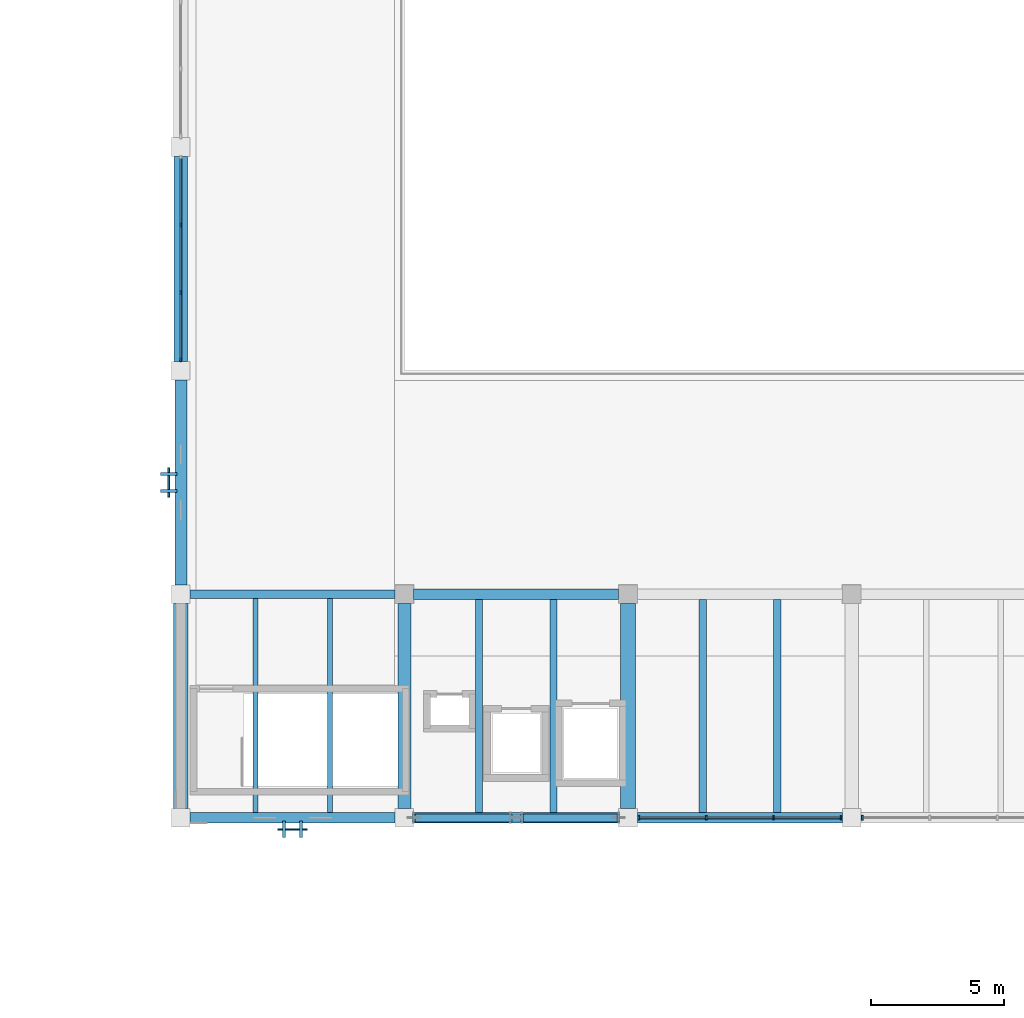
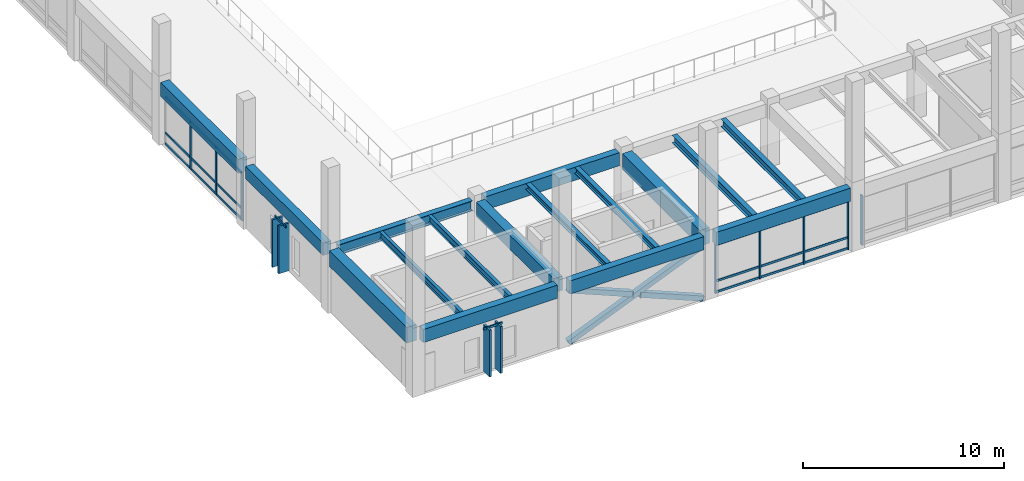
# One storey, part 52 of 132: 35 members, 16 beams, 5 elements without a shape of their own.
"""IFC4 building model written with IfcOpenShell, lengths in metres."""

import ifcopenshell
import ifcopenshell.guid

model = None  # the IFC model being written
_history = None  # IfcOwnerHistory: only IFC2X3 demands one
_inside = {}  # id of a spatial element -> (the spatial element, [elements in it])
_under = {}  # id of a project, library or spatial element -> (it, [spatial elements below it])
_declared = {}  # id of a project -> (the project, [libraries it declares])
_typed = {}  # id of a type object -> (the type object, [elements of that type])
_made_of = {}  # id of a material, layer set ... -> (it, [elements and type objects made of it])


def new_model(schema):
    """Start an empty IFC model of exactly this schema.

    Asked for "IFC4X3", IfcOpenShell would pick the latest addendum, in which some entities
    have other attributes; the version numbers below select the first issue.
    IFC2X3 requires an IfcOwnerHistory on every rooted entity: one is made here for all.
    """
    global model, _history
    if schema == "IFC4X3":
        model = ifcopenshell.file(schema_version=(4, 3, 0, 0))
    else:
        model = ifcopenshell.file(schema=schema)
    _inside.clear()
    _under.clear()
    _declared.clear()
    _typed.clear()
    _made_of.clear()
    _history = None
    if model.schema == "IFC2X3":
        org = make("IfcOrganization", Name="unknown")
        user = make(
            "IfcPersonAndOrganization",
            ThePerson=make("IfcPerson", FamilyName="unknown"),
            TheOrganization=org,
        )
        app = make(
            "IfcApplication",
            ApplicationDeveloper=org,
            Version="unknown",
            ApplicationFullName="unknown",
            ApplicationIdentifier="unknown",
        )
        _history = make(
            "IfcOwnerHistory",
            OwningUser=user,
            OwningApplication=app,
            ChangeAction="ADDED",
            CreationDate=0,
        )
    return model


def make(cls, **values):
    """One entity of the class cls with the attributes given. An attribute that is None is left unset."""
    return model.create_entity(
        cls, **{name: value for name, value in values.items() if value is not None}
    )


def rooted(cls, **values):
    """An entity with a GlobalId (a new one), such as an element, a storey or a relation."""
    return make(cls, GlobalId=ifcopenshell.guid.new(), OwnerHistory=_history, **values)


def si_unit(unit_type, name, prefix=None):
    """IfcSIUnit, for example si_unit("LENGTHUNIT", "METRE", prefix="MILLI")."""
    return make("IfcSIUnit", UnitType=unit_type, Prefix=prefix, Name=name)


def assignment(units):
    """IfcUnitAssignment: the units of a project."""
    return None if units is None else make("IfcUnitAssignment", Units=units)


def point(xyz):
    """IfcCartesianPoint."""
    return None if xyz is None else make("IfcCartesianPoint", Coordinates=xyz)


def direction(xyz):
    """IfcDirection."""
    return None if xyz is None else make("IfcDirection", DirectionRatios=xyz)


def frame(location, z_axis=None, x_axis=None):
    """IfcAxis2Placement3D, a coordinate frame: its origin and axes. An axis left out is left unset."""
    return make(
        "IfcAxis2Placement3D",
        Location=point(location),
        Axis=direction(z_axis),
        RefDirection=direction(x_axis),
    )


def frame_2d(location, x_axis=None):
    """IfcAxis2Placement2D, a coordinate frame in the plane: its origin and x axis."""
    return make(
        "IfcAxis2Placement2D", Location=point(location), RefDirection=direction(x_axis)
    )


def origin():
    """The frame at (0, 0, 0) with its axes left unset."""
    return frame((0.0, 0.0, 0.0))


def origin_2d():
    """The frame at (0, 0) in the plane with its x axis left unset."""
    return frame_2d((0.0, 0.0))


def place(relative_to, where):
    """IfcLocalPlacement: puts the frame where relative to a parent placement (None: the world)."""
    return make(
        "IfcLocalPlacement", PlacementRelTo=relative_to, RelativePlacement=where
    )


def context(
    kind, dimensions, precision=None, world=None, true_north=None, identifier=None
):
    """IfcGeometricRepresentationContext, for example the 3D "Model" context."""
    return make(
        "IfcGeometricRepresentationContext",
        ContextIdentifier=identifier,
        ContextType=kind,
        CoordinateSpaceDimension=dimensions,
        Precision=precision,
        WorldCoordinateSystem=world,
        TrueNorth=true_north,
    )


def subcontext(parent, identifier, kind, view, scale=None):
    """IfcGeometricRepresentationSubContext, for example "Body" below "Model"."""
    return make(
        "IfcGeometricRepresentationSubContext",
        ContextIdentifier=identifier,
        ContextType=kind,
        ParentContext=parent,
        TargetScale=scale,
        TargetView=view,
    )


def project(units=None, contexts=None):
    """IfcProject with its units and contexts."""
    return rooted(
        "IfcProject",
        Name="project",
        RepresentationContexts=contexts,
        UnitsInContext=assignment(units),
    )


def spatial(cls, under=None, at=None, **own):
    """A site, building, storey or space (cls), placed at a placement, below another one or the project."""
    s = rooted(cls, ObjectPlacement=at, **own)
    if under is not None:
        _under.setdefault(under.id(), (under, []))[1].append(s)
    return s


def profile(cls, at=None, kind="AREA", **sizes):
    """A parametric profile (cls). Its sizes go by their IFC names, for example OverallWidth=200.0."""
    return make(cls, ProfileType=kind, Position=at, **sizes)


def rectangle(**sizes):
    """IfcRectangleProfileDef."""
    return profile("IfcRectangleProfileDef", **sizes)


def hollow_rectangle(**sizes):
    """IfcRectangleHollowProfileDef."""
    return profile("IfcRectangleHollowProfileDef", **sizes)


def i_section(**sizes):
    """IfcIShapeProfileDef."""
    return profile("IfcIShapeProfileDef", **sizes)


def extrude(swept, where, along, depth):
    """IfcExtrudedAreaSolid: the profile swept, set in the frame where, extruded along a direction by depth."""
    return make(
        "IfcExtrudedAreaSolid",
        SweptArea=swept,
        Position=where,
        ExtrudedDirection=direction(along),
        Depth=depth,
    )


def shape(context_of_items, identifier, shape_type, items):
    """IfcShapeRepresentation: the items that make up one representation, for example the "Body"."""
    return make(
        "IfcShapeRepresentation",
        ContextOfItems=context_of_items,
        RepresentationIdentifier=identifier,
        RepresentationType=shape_type,
        Items=items,
    )


def material(Name=None, Category=None):
    """IfcMaterial."""
    return make("IfcMaterial", Name=Name, Category=Category)


def material_profile(
    of_material, cross_section, Name=None, Category=None, Priority=None
):
    """IfcMaterialProfile: a cross section and its material."""
    return make(
        "IfcMaterialProfile",
        Name=Name,
        Material=of_material,
        Profile=cross_section,
        Priority=Priority,
        Category=Category,
    )


def profile_set(profiles, Name=None, composite=None):
    """IfcMaterialProfileSet."""
    return make(
        "IfcMaterialProfileSet",
        Name=Name,
        MaterialProfiles=profiles,
        CompositeProfile=composite,
    )


def made_of(thing, what):
    """Note that an element or type object is made of a material, layer set ...; save() writes the relation."""
    if what is not None:
        _made_of.setdefault(what.id(), (what, []))[1].append(thing)
    return thing


def type_object(cls, material=None, **own):
    """A type object (cls), such as IfcWallType, which elements share."""
    return made_of(rooted(cls, **own), material)


def element(
    cls,
    number,
    at=None,
    inside=None,
    cuts=None,
    type_object=None,
    material=None,
    context=None,
    identifier="Body",
    shape_type=None,
    held_by="IfcProductDefinitionShape",
    body=None,
    shapes=None,
    **own,
):
    """One element of the class cls, such as IfcWall. Its Tag is "e" and its number.

    at: its placement. inside: the storey or other place that contains it. cuts: it is an
    opening in that element (IfcRelVoidsElement). A single representation is given by context,
    identifier, shape_type and body (its items); several are given by shapes. held_by: the class
    of the entity that holds the representations. save() writes the other relations.
    """
    e = rooted(cls, Tag="e%d" % number, ObjectPlacement=at, **own)
    if body is not None:
        shapes = [shape(context, identifier, shape_type, body)]
    if shapes is not None:
        e.Representation = make(held_by, Representations=shapes)
    if inside is not None:
        _inside.setdefault(inside.id(), (inside, []))[1].append(e)
    if cuts is not None:
        rooted(
            "IfcRelVoidsElement", RelatingBuildingElement=cuts, RelatedOpeningElement=e
        )
    if type_object is not None:
        _typed.setdefault(type_object.id(), (type_object, []))[1].append(e)
    return made_of(e, material)


def aggregate(whole, parts):
    """IfcRelAggregates: a whole, such as a stair, and the parts it consists of."""
    return rooted("IfcRelAggregates", RelatingObject=whole, RelatedObjects=parts)


def save(model, path):
    """Write the relations noted so far, then the file.

    IfcRelAggregates (storeys below a building ...), IfcRelContainedInSpatialStructure (elements
    in a storey), IfcRelDefinesByType, IfcRelAssociatesMaterial and IfcRelDeclares: one each for
    every whole, place, type object, material and project.
    """
    for whole, parts in _under.values():
        aggregate(whole, parts)
    for where, things in _inside.values():
        rooted(
            "IfcRelContainedInSpatialStructure",
            RelatedElements=things,
            RelatingStructure=where,
        )
    for kind, things in _typed.values():
        rooted("IfcRelDefinesByType", RelatedObjects=things, RelatingType=kind)
    for what, things in _made_of.values():
        rooted("IfcRelAssociatesMaterial", RelatedObjects=things, RelatingMaterial=what)
    for by, libraries in _declared.values():
        rooted("IfcRelDeclares", RelatingContext=by, RelatedDefinitions=libraries)
    model.write(path)


model = new_model("IFC4")

# Units and contexts
model_context = context("Model", 3, precision=1e-05, world=origin(), true_north=direction((0.0, 1.0)))
body_context = subcontext(model_context, "Body", "Model", "MODEL_VIEW")
ifc_project = project(units=[si_unit("LENGTHUNIT", "METRE"), si_unit("AREAUNIT", "SQUARE_METRE"), si_unit("VOLUMEUNIT", "CUBIC_METRE"), si_unit("PLANEANGLEUNIT", "RADIAN"), si_unit("MASSUNIT", "GRAM", prefix="KILO")], contexts=[model_context])

# Site, building, storey
site_placement = place(None, origin())
site = spatial("IfcSite", under=ifc_project, at=site_placement, CompositionType="ELEMENT")
building_placement = place(site_placement, origin())
building = spatial("IfcBuilding", under=site, at=building_placement, Name="Cumbredor Promenade Congress Hotel", CompositionType="ELEMENT")
storey_placement = place(building_placement, frame((0.0, 0.0, 7.56005859375)))
storey = spatial("IfcBuildingStorey", under=building, at=storey_placement, Name="L02", CompositionType="ELEMENT", Elevation=7.56005859375)

# Beams
ifc_material_1 = material(Name="Concrete C40/50", Category="concrete")
ifc_material_profile_1 = material_profile(ifc_material_1, rectangle(XDim=0.449951171875, YDim=0.75, at=origin_2d()), Name="RC BEAM 450x750")
ifc_profile_set_1 = profile_set([ifc_material_profile_1], Name="Concrete C40/50")
beam_type_1 = type_object("IfcBeamType", Name="BM-RC-450x750", PredefinedType="BEAM", material=ifc_profile_set_1)
beam_1_placement = place(storey_placement, frame((142.800048828125, 17.14990234375, 3.425048828125), z_axis=(0.0, 1.0, 0.0), x_axis=(-1.0, 0.0, 0.0)))
element("IfcBeam", 1, at=beam_1_placement, inside=storey, type_object=beam_type_1, Name="L03 Y-Grid Beam 189", PredefinedType="BEAM", context=body_context, shape_type="SweptSolid", body=[
    extrude(rectangle(XDim=0.449951171875, YDim=0.75, at=origin_2d()), origin(), (0.0, 0.0, 1.0), 7.7001953125),
])
ifc_material_profile_2 = material_profile(ifc_material_1, rectangle(XDim=0.5, YDim=0.85009765625, at=origin_2d()), Name="RC BEAM 500x850")
ifc_profile_set_2 = profile_set([ifc_material_profile_2], Name="Concrete C40/50")
beam_type_2 = type_object("IfcBeamType", Name="BM-RC-500x850", PredefinedType="BEAM", material=ifc_profile_set_2)
for number, where, z_axis, x_axis, name in (
    (2, (142.800048828125, 25.550048828125, 3.375), (0.0, 1.0, 0.0), (-1.0, 0.0, 0.0), "L03 Y-Grid Beam 190"),
    (3, (151.199951171875, 8.75, 3.375), (0.0, 1.0, 0.0), (-1.0, 0.0, 0.0), "L03 Y-Grid Beam 202"),
):
    element("IfcBeam", number, at=place(storey_placement, frame(where, z_axis=z_axis, x_axis=x_axis)), inside=storey, type_object=beam_type_2, Name=name, PredefinedType="BEAM", context=body_context, shape_type="SweptSolid", body=[
        extrude(rectangle(XDim=0.5, YDim=0.85009765625, at=origin_2d()), origin(), (0.0, 0.0, 1.0), 7.699951171875),
    ])
ifc_material_profile_3 = material_profile(ifc_material_1, rectangle(XDim=0.550048828125, YDim=0.949951171875, at=origin_2d()), Name="RC BEAM 550x950")
ifc_profile_set_3 = profile_set([ifc_material_profile_3], Name="Concrete C40/50")
beam_type_3 = type_object("IfcBeamType", Name="BM-RC-550x950", PredefinedType="BEAM", material=ifc_profile_set_3)
for number, where, z_axis, x_axis, name in (
    (4, (142.800048828125, 8.75, 3.324951171875), (0.0, 1.0, 0.0), (-1.0, 0.0, 0.0), "L03 Y-Grid Beam 187"),
    (5, (159.60009765625, 8.75, 3.324951171875), (0.0, 1.0, 0.0), (-1.0, 0.0, 0.0), "L03 Y-Grid Beam 215"),
):
    element("IfcBeam", number, at=place(storey_placement, frame(where, z_axis=z_axis, x_axis=x_axis)), inside=storey, type_object=beam_type_3, Name=name, PredefinedType="BEAM", context=body_context, shape_type="SweptSolid", body=[
        extrude(rectangle(XDim=0.550048828125, YDim=0.949951171875, at=origin_2d()), origin(), (0.0, 0.0, 1.0), 7.699951171875),
    ])
ifc_material_2 = material(Name="Steel ASTM A992 Grade 50", Category="steel")
ifc_material_profile_4 = material_profile(ifc_material_2, i_section(OverallWidth=0.323974609375, OverallDepth=0.611083984375, WebThickness=0.0126953125, FlangeThickness=0.01904296875, at=origin_2d()), Name="W24X104")
ifc_profile_set_4 = profile_set([ifc_material_profile_4], Name="Steel ASTM A992 Grade 50")
beam_type_4 = type_object("IfcBeamType", Name="BM-W24X104", PredefinedType="BEAM", material=ifc_profile_set_4)
beam_2_placement = place(storey_placement, frame((143.14990234375, 16.800048828125, 3.494384765625), z_axis=(1.0, 0.0, 0.0), x_axis=(0.0, 1.0, 0.0)))
element("IfcBeam", 6, at=beam_2_placement, inside=storey, type_object=beam_type_4, Name="L03 X-Grid Beam 188", PredefinedType="BEAM", context=body_context, shape_type="SweptSolid", body=[
    extrude(i_section(OverallWidth=0.323974609375, OverallDepth=0.611083984375, WebThickness=0.0126953125, FlangeThickness=0.01904296875, at=origin_2d()), origin(), (0.0, 0.0, 1.0), 7.7001953125),
])

# Curtain wall, members
ifc_material_3 = material(Name="Thermally broken anodized aluminium and low-E glass", Category="aluminium")
curtain_wall_type_1 = type_object("IfcCurtainWallType", Name="Unitised Bronze Curtain Wall CW-01", PredefinedType="NOTDEFINED", material=ifc_material_3)
curtain_wall_1_placement = place(storey_placement, origin())
curtain_wall_1 = element("IfcCurtainWall", 7, at=curtain_wall_1_placement, inside=storey, type_object=curtain_wall_type_1, Name="L02 Grand Ballroom Pavilion South Curtain Wall 3", PredefinedType="NOTDEFINED")
ifc_material_4 = material(Name="Thermally broken anodized aluminium", Category="aluminium")
ifc_material_profile_5 = material_profile(ifc_material_4, rectangle(XDim=0.06494140625, YDim=0.159912109375, at=origin_2d()), Name="ALU MULLION 65x160")
ifc_profile_set_5 = profile_set([ifc_material_profile_5], Name="Thermally broken anodized aluminium")
member_type_1 = type_object("IfcMemberType", Name="Curtain Wall Mullion ML-01", PredefinedType="MULLION", material=ifc_profile_set_5)
member_1_placement = place(storey_placement, frame((160.0048828125, 8.39990234375, -0.008056640625), z_axis=(0.0, 0.0, 1.0), x_axis=(1.0, 0.0, 0.0)))
member_1 = element("IfcMember", 8, at=member_1_placement, type_object=member_type_1, Name="L02 Grand Ballroom Pavilion South Curtain Wall 3 Mullion 1", PredefinedType="MULLION", context=body_context, shape_type="SweptSolid", body=[
    extrude(rectangle(XDim=0.06494140625, YDim=0.159912109375, at=origin_2d()), origin(), (0.0, 0.0, 1.0), 3.0009765625),
])
member_2_placement = place(storey_placement, frame((162.534912109375, 8.39990234375, -0.008056640625), z_axis=(0.0, 0.0, 1.0), x_axis=(1.0, 0.0, 0.0)))
member_2 = element("IfcMember", 9, at=member_2_placement, type_object=member_type_1, Name="L02 Grand Ballroom Pavilion South Curtain Wall 3 Mullion 2", PredefinedType="MULLION", context=body_context, shape_type="SweptSolid", body=[
    extrude(rectangle(XDim=0.06494140625, YDim=0.159912109375, at=origin_2d()), origin(), (0.0, 0.0, 1.0), 3.0009765625),
])
member_3_placement = place(storey_placement, frame((165.06494140625, 8.39990234375, -0.008056640625), z_axis=(0.0, 0.0, 1.0), x_axis=(1.0, 0.0, 0.0)))
member_3 = element("IfcMember", 10, at=member_3_placement, type_object=member_type_1, Name="L02 Grand Ballroom Pavilion South Curtain Wall 3 Mullion 3", PredefinedType="MULLION", context=body_context, shape_type="SweptSolid", body=[
    extrude(rectangle(XDim=0.06494140625, YDim=0.159912109375, at=origin_2d()), origin(), (0.0, 0.0, 1.0), 3.0009765625),
])
member_4_placement = place(storey_placement, frame((167.594970703125, 8.39990234375, -0.008056640625), z_axis=(0.0, 0.0, 1.0), x_axis=(1.0, 0.0, 0.0)))
member_4 = element("IfcMember", 11, at=member_4_placement, type_object=member_type_1, Name="L02 Grand Ballroom Pavilion South Curtain Wall 3 Mullion 4", PredefinedType="MULLION", context=body_context, shape_type="SweptSolid", body=[
    extrude(rectangle(XDim=0.06494140625, YDim=0.159912109375, at=origin_2d()), origin(), (0.0, 0.0, 1.0), 3.0009765625),
])

curtain_wall_2_placement = place(storey_placement, origin())
curtain_wall_2 = element("IfcCurtainWall", 12, at=curtain_wall_2_placement, inside=storey, type_object=curtain_wall_type_1, Name="L02 Grand Ballroom Pavilion West Curtain Wall 3", PredefinedType="NOTDEFINED")
member_5_placement = place(storey_placement, frame((142.800048828125, 25.60498046875, -0.008056640625), z_axis=(0.0, 0.0, 1.0), x_axis=(1.0, 0.0, 0.0)))
member_5 = element("IfcMember", 13, at=member_5_placement, type_object=member_type_1, Name="L02 Grand Ballroom Pavilion West Curtain Wall 3 Mullion 1", PredefinedType="MULLION", context=body_context, shape_type="SweptSolid", body=[
    extrude(rectangle(XDim=0.06494140625, YDim=0.159912109375, at=origin_2d()), origin(), (0.0, 0.0, 1.0), 2.950927734375),
])
member_6_placement = place(storey_placement, frame((142.800048828125, 28.135009765625, -0.008056640625), z_axis=(0.0, 0.0, 1.0), x_axis=(1.0, 0.0, 0.0)))
member_6 = element("IfcMember", 14, at=member_6_placement, type_object=member_type_1, Name="L02 Grand Ballroom Pavilion West Curtain Wall 3 Mullion 2", PredefinedType="MULLION", context=body_context, shape_type="SweptSolid", body=[
    extrude(rectangle(XDim=0.06494140625, YDim=0.159912109375, at=origin_2d()), origin(), (0.0, 0.0, 1.0), 2.950927734375),
])
member_7_placement = place(storey_placement, frame((142.800048828125, 30.6650390625, -0.008056640625), z_axis=(0.0, 0.0, 1.0), x_axis=(1.0, 0.0, 0.0)))
member_7 = element("IfcMember", 15, at=member_7_placement, type_object=member_type_1, Name="L02 Grand Ballroom Pavilion West Curtain Wall 3 Mullion 3", PredefinedType="MULLION", context=body_context, shape_type="SweptSolid", body=[
    extrude(rectangle(XDim=0.06494140625, YDim=0.159912109375, at=origin_2d()), origin(), (0.0, 0.0, 1.0), 2.950927734375),
])

# Curtain wall, member
curtain_wall_3_placement = place(storey_placement, origin())
curtain_wall_3 = element("IfcCurtainWall", 16, at=curtain_wall_3_placement, inside=storey, type_object=curtain_wall_type_1, Name="L02 Grand Ballroom Pavilion South Curtain Wall 4", PredefinedType="NOTDEFINED")
ifc_material_profile_6 = material_profile(ifc_material_4, rectangle(XDim=0.074951171875, YDim=0.199951171875, at=origin_2d()), Name="ALU MULLION 75x200")
ifc_profile_set_6 = profile_set([ifc_material_profile_6], Name="Thermally broken anodized aluminium")
member_type_2 = type_object("IfcMemberType", Name="Curtain Wall Mullion ML-02", PredefinedType="MULLION", material=ifc_profile_set_6)
member_8_placement = place(storey_placement, frame((168.405029296875, 8.39990234375, -0.008056640625), z_axis=(0.0, 0.0, 1.0), x_axis=(1.0, 0.0, 0.0)))
member_8 = element("IfcMember", 17, at=member_8_placement, type_object=member_type_2, Name="L02 Grand Ballroom Pavilion South Curtain Wall 4 Mullion 1", PredefinedType="MULLION", context=body_context, shape_type="SweptSolid", body=[
    extrude(rectangle(XDim=0.074951171875, YDim=0.199951171875, at=origin_2d()), origin(), (0.0, 0.0, 1.0), 3.0009765625),
])
aggregate(curtain_wall_3, [member_8])

curtain_wall_type_2 = type_object("IfcCurtainWallType", Name="Solar Brise-Soleil Screen Assembly CW-07", PredefinedType="NOTDEFINED", material=ifc_material_3)
curtain_wall_4_placement = place(storey_placement, origin())
curtain_wall_4 = element("IfcCurtainWall", 18, at=curtain_wall_4_placement, inside=storey, type_object=curtain_wall_type_2, Name="L02 Pier Brise-Soleil Screen 0373", PredefinedType="NOTDEFINED")
ifc_material_profile_7 = material_profile(ifc_material_4, rectangle(XDim=0.06494140625, YDim=0.1298828125, at=origin_2d()), Name="ALU TRANSOM 65x130")
ifc_profile_set_7 = profile_set([ifc_material_profile_7], Name="Thermally broken anodized aluminium")
member_type_3 = type_object("IfcMemberType", Name="Curtain Wall Transom TR-01", PredefinedType="USERDEFINED", material=ifc_profile_set_7)
member_9_placement = place(storey_placement, frame((146.449951171875, 7.965087890625, 2.824951171875), z_axis=(1.0, 0.0, 0.0), x_axis=(0.0, 1.0, 0.0)))
member_9 = element("IfcMember", 19, at=member_9_placement, type_object=member_type_3, Name="L02 Pier Brise-Soleil Header 0375", ObjectType="TRANSOM", PredefinedType="USERDEFINED", context=body_context, shape_type="SweptSolid", body=[
    extrude(rectangle(XDim=0.06494140625, YDim=0.1298828125, at=origin_2d()), origin(), (0.0, 0.0, 1.0), 1.10009765625),
])

# Member
member_10_placement = place(storey_placement, frame((160.03759765625, 8.39990234375, 0.06005859375), z_axis=(1.0, 0.0, 0.0), x_axis=(0.0, 1.0, 0.0)))
member_10 = element("IfcMember", 20, at=member_10_placement, type_object=member_type_3, Name="L02 Grand Ballroom Pavilion South Curtain Wall 3 Transom 1.1", ObjectType="TRANSOM", PredefinedType="USERDEFINED", context=body_context, shape_type="SweptSolid", body=[
    extrude(rectangle(XDim=0.06494140625, YDim=0.1298828125, at=origin_2d()), origin(), (0.0, 0.0, 1.0), 2.46484375),
])

member_11_placement = place(storey_placement, frame((160.03759765625, 8.39990234375, 0.719970703125), z_axis=(1.0, 0.0, 0.0), x_axis=(0.0, 1.0, 0.0)))
member_11 = element("IfcMember", 21, at=member_11_placement, type_object=member_type_3, Name="L02 Grand Ballroom Pavilion South Curtain Wall 3 Transom 1.2", ObjectType="TRANSOM", PredefinedType="USERDEFINED", context=body_context, shape_type="SweptSolid", body=[
    extrude(rectangle(XDim=0.06494140625, YDim=0.1298828125, at=origin_2d()), origin(), (0.0, 0.0, 1.0), 2.46484375),
])

member_12_placement = place(storey_placement, frame((160.03759765625, 8.39990234375, 2.919921875), z_axis=(1.0, 0.0, 0.0), x_axis=(0.0, 1.0, 0.0)))
member_12 = element("IfcMember", 22, at=member_12_placement, type_object=member_type_3, Name="L02 Grand Ballroom Pavilion South Curtain Wall 3 Transom 1.3", ObjectType="TRANSOM", PredefinedType="USERDEFINED", context=body_context, shape_type="SweptSolid", body=[
    extrude(rectangle(XDim=0.06494140625, YDim=0.1298828125, at=origin_2d()), origin(), (0.0, 0.0, 1.0), 2.46484375),
])

member_13_placement = place(storey_placement, frame((162.5673828125, 8.39990234375, 0.06005859375), z_axis=(1.0, 0.0, 0.0), x_axis=(0.0, 1.0, 0.0)))
member_13 = element("IfcMember", 23, at=member_13_placement, type_object=member_type_3, Name="L02 Grand Ballroom Pavilion South Curtain Wall 3 Transom 2.1", ObjectType="TRANSOM", PredefinedType="USERDEFINED", context=body_context, shape_type="SweptSolid", body=[
    extrude(rectangle(XDim=0.06494140625, YDim=0.1298828125, at=origin_2d()), origin(), (0.0, 0.0, 1.0), 2.465087890625),
])

member_14_placement = place(storey_placement, frame((162.5673828125, 8.39990234375, 0.719970703125), z_axis=(1.0, 0.0, 0.0), x_axis=(0.0, 1.0, 0.0)))
member_14 = element("IfcMember", 24, at=member_14_placement, type_object=member_type_3, Name="L02 Grand Ballroom Pavilion South Curtain Wall 3 Transom 2.2", ObjectType="TRANSOM", PredefinedType="USERDEFINED", context=body_context, shape_type="SweptSolid", body=[
    extrude(rectangle(XDim=0.06494140625, YDim=0.1298828125, at=origin_2d()), origin(), (0.0, 0.0, 1.0), 2.465087890625),
])

member_15_placement = place(storey_placement, frame((162.5673828125, 8.39990234375, 2.919921875), z_axis=(1.0, 0.0, 0.0), x_axis=(0.0, 1.0, 0.0)))
member_15 = element("IfcMember", 25, at=member_15_placement, type_object=member_type_3, Name="L02 Grand Ballroom Pavilion South Curtain Wall 3 Transom 2.3", ObjectType="TRANSOM", PredefinedType="USERDEFINED", context=body_context, shape_type="SweptSolid", body=[
    extrude(rectangle(XDim=0.06494140625, YDim=0.1298828125, at=origin_2d()), origin(), (0.0, 0.0, 1.0), 2.465087890625),
])

member_16_placement = place(storey_placement, frame((165.097412109375, 8.39990234375, 0.06005859375), z_axis=(1.0, 0.0, 0.0), x_axis=(0.0, 1.0, 0.0)))
member_16 = element("IfcMember", 26, at=member_16_placement, type_object=member_type_3, Name="L02 Grand Ballroom Pavilion South Curtain Wall 3 Transom 3.1", ObjectType="TRANSOM", PredefinedType="USERDEFINED", context=body_context, shape_type="SweptSolid", body=[
    extrude(rectangle(XDim=0.06494140625, YDim=0.1298828125, at=origin_2d()), origin(), (0.0, 0.0, 1.0), 2.465087890625),
])

member_17_placement = place(storey_placement, frame((165.097412109375, 8.39990234375, 0.719970703125), z_axis=(1.0, 0.0, 0.0), x_axis=(0.0, 1.0, 0.0)))
member_17 = element("IfcMember", 27, at=member_17_placement, type_object=member_type_3, Name="L02 Grand Ballroom Pavilion South Curtain Wall 3 Transom 3.2", ObjectType="TRANSOM", PredefinedType="USERDEFINED", context=body_context, shape_type="SweptSolid", body=[
    extrude(rectangle(XDim=0.06494140625, YDim=0.1298828125, at=origin_2d()), origin(), (0.0, 0.0, 1.0), 2.465087890625),
])

member_18_placement = place(storey_placement, frame((165.097412109375, 8.39990234375, 2.919921875), z_axis=(1.0, 0.0, 0.0), x_axis=(0.0, 1.0, 0.0)))
member_18 = element("IfcMember", 28, at=member_18_placement, type_object=member_type_3, Name="L02 Grand Ballroom Pavilion South Curtain Wall 3 Transom 3.3", ObjectType="TRANSOM", PredefinedType="USERDEFINED", context=body_context, shape_type="SweptSolid", body=[
    extrude(rectangle(XDim=0.06494140625, YDim=0.1298828125, at=origin_2d()), origin(), (0.0, 0.0, 1.0), 2.465087890625),
])

aggregate(curtain_wall_1, [member_1, member_2, member_3, member_4, member_10, member_11, member_12, member_13, member_14, member_15, member_16, member_17, member_18])

# Curtain wall, member
curtain_wall_5_placement = place(storey_placement, origin())
curtain_wall_5 = element("IfcCurtainWall", 29, at=curtain_wall_5_placement, inside=storey, type_object=curtain_wall_type_2, Name="L02 Pier Brise-Soleil Screen 0388", PredefinedType="NOTDEFINED")
member_19_placement = place(storey_placement, frame((142.35009765625, 20.449951171875, 2.875), z_axis=(0.0, 1.0, 0.0), x_axis=(-1.0, 0.0, 0.0)))
member_19 = element("IfcMember", 30, at=member_19_placement, type_object=member_type_3, Name="L02 Pier Brise-Soleil Header 0390", ObjectType="TRANSOM", PredefinedType="USERDEFINED", context=body_context, shape_type="SweptSolid", body=[
    extrude(rectangle(XDim=0.06494140625, YDim=0.1298828125, at=origin_2d()), origin(), (0.0, 0.0, 1.0), 1.10009765625),
])

# Member
member_20_placement = place(storey_placement, frame((142.800048828125, 25.637451171875, 0.06005859375), z_axis=(0.0, 1.0, 0.0), x_axis=(-1.0, 0.0, 0.0)))
member_20 = element("IfcMember", 31, at=member_20_placement, type_object=member_type_3, Name="L02 Grand Ballroom Pavilion West Curtain Wall 3 Transom 1.1", ObjectType="TRANSOM", PredefinedType="USERDEFINED", context=body_context, shape_type="SweptSolid", body=[
    extrude(rectangle(XDim=0.06494140625, YDim=0.1298828125, at=origin_2d()), origin(), (0.0, 0.0, 1.0), 2.465087890625),
])

member_21_placement = place(storey_placement, frame((142.800048828125, 25.637451171875, 0.719970703125), z_axis=(0.0, 1.0, 0.0), x_axis=(-1.0, 0.0, 0.0)))
member_21 = element("IfcMember", 32, at=member_21_placement, type_object=member_type_3, Name="L02 Grand Ballroom Pavilion West Curtain Wall 3 Transom 1.2", ObjectType="TRANSOM", PredefinedType="USERDEFINED", context=body_context, shape_type="SweptSolid", body=[
    extrude(rectangle(XDim=0.06494140625, YDim=0.1298828125, at=origin_2d()), origin(), (0.0, 0.0, 1.0), 2.465087890625),
])

member_22_placement = place(storey_placement, frame((142.800048828125, 25.637451171875, 2.869873046875), z_axis=(0.0, 1.0, 0.0), x_axis=(-1.0, 0.0, 0.0)))
member_22 = element("IfcMember", 33, at=member_22_placement, type_object=member_type_3, Name="L02 Grand Ballroom Pavilion West Curtain Wall 3 Transom 1.3", ObjectType="TRANSOM", PredefinedType="USERDEFINED", context=body_context, shape_type="SweptSolid", body=[
    extrude(rectangle(XDim=0.06494140625, YDim=0.1298828125, at=origin_2d()), origin(), (0.0, 0.0, 1.0), 2.465087890625),
])

member_23_placement = place(storey_placement, frame((142.800048828125, 28.16748046875, 0.06005859375), z_axis=(0.0, 1.0, 0.0), x_axis=(-1.0, 0.0, 0.0)))
member_23 = element("IfcMember", 34, at=member_23_placement, type_object=member_type_3, Name="L02 Grand Ballroom Pavilion West Curtain Wall 3 Transom 2.1", ObjectType="TRANSOM", PredefinedType="USERDEFINED", context=body_context, shape_type="SweptSolid", body=[
    extrude(rectangle(XDim=0.06494140625, YDim=0.1298828125, at=origin_2d()), origin(), (0.0, 0.0, 1.0), 2.465087890625),
])

member_24_placement = place(storey_placement, frame((142.800048828125, 28.16748046875, 0.719970703125), z_axis=(0.0, 1.0, 0.0), x_axis=(-1.0, 0.0, 0.0)))
member_24 = element("IfcMember", 35, at=member_24_placement, type_object=member_type_3, Name="L02 Grand Ballroom Pavilion West Curtain Wall 3 Transom 2.2", ObjectType="TRANSOM", PredefinedType="USERDEFINED", context=body_context, shape_type="SweptSolid", body=[
    extrude(rectangle(XDim=0.06494140625, YDim=0.1298828125, at=origin_2d()), origin(), (0.0, 0.0, 1.0), 2.465087890625),
])

member_25_placement = place(storey_placement, frame((142.800048828125, 28.16748046875, 2.869873046875), z_axis=(0.0, 1.0, 0.0), x_axis=(-1.0, 0.0, 0.0)))
member_25 = element("IfcMember", 36, at=member_25_placement, type_object=member_type_3, Name="L02 Grand Ballroom Pavilion West Curtain Wall 3 Transom 2.3", ObjectType="TRANSOM", PredefinedType="USERDEFINED", context=body_context, shape_type="SweptSolid", body=[
    extrude(rectangle(XDim=0.06494140625, YDim=0.1298828125, at=origin_2d()), origin(), (0.0, 0.0, 1.0), 2.465087890625),
])

member_26_placement = place(storey_placement, frame((142.800048828125, 30.697509765625, 0.06005859375), z_axis=(0.0, 1.0, 0.0), x_axis=(-1.0, 0.0, 0.0)))
member_26 = element("IfcMember", 37, at=member_26_placement, type_object=member_type_3, Name="L02 Grand Ballroom Pavilion West Curtain Wall 3 Transom 3.1", ObjectType="TRANSOM", PredefinedType="USERDEFINED", context=body_context, shape_type="SweptSolid", body=[
    extrude(rectangle(XDim=0.06494140625, YDim=0.1298828125, at=origin_2d()), origin(), (0.0, 0.0, 1.0), 2.465087890625),
])

member_27_placement = place(storey_placement, frame((142.800048828125, 30.697509765625, 0.719970703125), z_axis=(0.0, 1.0, 0.0), x_axis=(-1.0, 0.0, 0.0)))
member_27 = element("IfcMember", 38, at=member_27_placement, type_object=member_type_3, Name="L02 Grand Ballroom Pavilion West Curtain Wall 3 Transom 3.2", ObjectType="TRANSOM", PredefinedType="USERDEFINED", context=body_context, shape_type="SweptSolid", body=[
    extrude(rectangle(XDim=0.06494140625, YDim=0.1298828125, at=origin_2d()), origin(), (0.0, 0.0, 1.0), 2.465087890625),
])

member_28_placement = place(storey_placement, frame((142.800048828125, 30.697509765625, 2.869873046875), z_axis=(0.0, 1.0, 0.0), x_axis=(-1.0, 0.0, 0.0)))
member_28 = element("IfcMember", 39, at=member_28_placement, type_object=member_type_3, Name="L02 Grand Ballroom Pavilion West Curtain Wall 3 Transom 3.3", ObjectType="TRANSOM", PredefinedType="USERDEFINED", context=body_context, shape_type="SweptSolid", body=[
    extrude(rectangle(XDim=0.06494140625, YDim=0.1298828125, at=origin_2d()), origin(), (0.0, 0.0, 1.0), 2.465087890625),
])

aggregate(curtain_wall_2, [member_5, member_6, member_7, member_20, member_21, member_22, member_23, member_24, member_25, member_26, member_27, member_28])

# Beams
ifc_material_profile_8 = material_profile(ifc_material_2, i_section(OverallWidth=0.2548828125, OverallDepth=0.35693359375, WebThickness=0.010498046875, FlangeThickness=0.018310546875, at=origin_2d()), Name="W14X68")
ifc_profile_set_8 = profile_set([ifc_material_profile_8], Name="Steel ASTM A992 Grade 50")
beam_type_5 = type_object("IfcBeamType", Name="JST-W14X68", PredefinedType="JOIST", material=ifc_profile_set_8)
for number, where, z_axis, x_axis, name in (
    (40, (154.0, 8.60009765625, 3.621337890625), (0.0, 1.0, 0.0), (-1.0, 0.0, 0.0), "L03 Secondary Floor Joist 0112"),
    (41, (156.800048828125, 8.60009765625, 3.621337890625), (0.0, 1.0, 0.0), (-1.0, 0.0, 0.0), "L03 Secondary Floor Joist 0113"),
):
    element("IfcBeam", number, at=place(storey_placement, frame(where, z_axis=z_axis, x_axis=x_axis)), inside=storey, type_object=beam_type_5, Name=name, PredefinedType="JOIST", context=body_context, shape_type="SweptSolid", body=[
        extrude(i_section(OverallWidth=0.2548828125, OverallDepth=0.35693359375, WebThickness=0.010498046875, FlangeThickness=0.018310546875, at=origin_2d()), origin(), (0.0, 0.0, 1.0), 8.0),
    ])
ifc_material_profile_9 = material_profile(ifc_material_2, i_section(OverallWidth=0.180908203125, OverallDepth=0.4169921875, WebThickness=0.010986328125, FlangeThickness=0.018310546875, at=origin_2d()), Name="W16X57")
ifc_profile_set_9 = profile_set([ifc_material_profile_9], Name="Steel ASTM A992 Grade 50")
beam_type_6 = type_object("IfcBeamType", Name="JST-W16X57", PredefinedType="JOIST", material=ifc_profile_set_9)
for number, where, z_axis, x_axis, name in (
    (42, (145.60009765625, 8.60009765625, 3.591552734375), (0.0, 1.0, 0.0), (-1.0, 0.0, 0.0), "L03 Secondary Floor Joist 0108"),
    (43, (148.39990234375, 8.60009765625, 3.591552734375), (0.0, 1.0, 0.0), (-1.0, 0.0, 0.0), "L03 Secondary Floor Joist 0109"),
):
    element("IfcBeam", number, at=place(storey_placement, frame(where, z_axis=z_axis, x_axis=x_axis)), inside=storey, type_object=beam_type_6, Name=name, PredefinedType="JOIST", context=body_context, shape_type="SweptSolid", body=[
        extrude(i_section(OverallWidth=0.180908203125, OverallDepth=0.4169921875, WebThickness=0.010986328125, FlangeThickness=0.018310546875, at=origin_2d()), origin(), (0.0, 0.0, 1.0), 8.037841796875),
    ])
ifc_material_profile_10 = material_profile(ifc_material_2, i_section(OverallWidth=0.280029296875, OverallDepth=0.462890625, WebThickness=0.0107421875, FlangeThickness=0.017333984375, at=origin_2d()), Name="W18X76")
ifc_profile_set_10 = profile_set([ifc_material_profile_10], Name="Steel ASTM A992 Grade 50")
beam_type_7 = type_object("IfcBeamType", Name="JST-W18X76", PredefinedType="JOIST", material=ifc_profile_set_10)
for number, where, z_axis, x_axis, name in (
    (44, (162.39990234375, 8.60009765625, 3.568359375), (0.0, 1.0, 0.0), (-1.0, 0.0, 0.0), "L03 Secondary Floor Joist 0124"),
    (45, (165.199951171875, 8.60009765625, 3.568359375), (0.0, 1.0, 0.0), (-1.0, 0.0, 0.0), "L03 Secondary Floor Joist 0125"),
):
    element("IfcBeam", number, at=place(storey_placement, frame(where, z_axis=z_axis, x_axis=x_axis)), inside=storey, type_object=beam_type_7, Name=name, PredefinedType="JOIST", context=body_context, shape_type="SweptSolid", body=[
        extrude(i_section(OverallWidth=0.280029296875, OverallDepth=0.462890625, WebThickness=0.0107421875, FlangeThickness=0.017333984375, at=origin_2d()), origin(), (0.0, 0.0, 1.0), 8.0),
    ])
ifc_material_profile_11 = material_profile(ifc_material_1, rectangle(XDim=0.39990234375, YDim=0.800048828125, at=origin_2d()), Name="RC SPANDREL 400x800")
ifc_profile_set_11 = profile_set([ifc_material_profile_11], Name="Concrete C40/50")
beam_type_8 = type_object("IfcBeamType", Name="SP-RC-400x800", PredefinedType="SPANDREL", material=ifc_profile_set_11)
beam_3_placement = place(storey_placement, frame((143.14990234375, 8.39990234375, 3.39990234375), z_axis=(1.0, 0.0, 0.0), x_axis=(0.0, 1.0, 0.0)))
element("IfcBeam", 46, at=beam_3_placement, inside=storey, type_object=beam_type_8, Name="L03 X-Grid Beam 186", PredefinedType="SPANDREL", context=body_context, shape_type="SweptSolid", body=[
    extrude(rectangle(XDim=0.39990234375, YDim=0.800048828125, at=origin_2d()), origin(), (0.0, 0.0, 1.0), 7.7001953125),
])
for number, where, z_axis, x_axis, name in (
    (47, (151.550048828125, 8.39990234375, 3.39990234375), (1.0, 0.0, 0.0), (0.0, 1.0, 0.0), "L03 X-Grid Beam 201"),
    (48, (151.550048828125, 16.800048828125, 3.39990234375), (1.0, 0.0, 0.0), (0.0, 1.0, 0.0), "L03 X-Grid Beam 203"),
    (49, (159.949951171875, 8.39990234375, 3.39990234375), (1.0, 0.0, 0.0), (0.0, 1.0, 0.0), "L03 X-Grid Beam 214"),
):
    element("IfcBeam", number, at=place(storey_placement, frame(where, z_axis=z_axis, x_axis=x_axis)), inside=storey, type_object=beam_type_8, Name=name, PredefinedType="SPANDREL", context=body_context, shape_type="SweptSolid", body=[
        extrude(rectangle(XDim=0.39990234375, YDim=0.800048828125, at=origin_2d()), origin(), (0.0, 0.0, 1.0), 7.699951171875),
    ])

# Members
ifc_material_5 = material(Name="Steel ASTM A500 Grade C", Category="steel")
ifc_material_profile_12 = material_profile(ifc_material_5, hollow_rectangle(XDim=0.300048828125, YDim=0.300048828125, WallThickness=0.01611328125, at=origin_2d()), Name="HSS 300x300x16")
ifc_profile_set_12 = profile_set([ifc_material_profile_12], Name="Steel ASTM A500 Grade C")
member_type_4 = type_object("IfcMemberType", Name="Seismic Frame Brace CBF-1", PredefinedType="BRACE", material=ifc_profile_set_12)
member_29_placement = place(storey_placement, frame((151.550048828125, 8.39990234375, 0.0), z_axis=(0.923857591245, 0.0, 0.382736398973), x_axis=(0.0, 1.0, 0.0)))
element("IfcMember", 50, at=member_29_placement, inside=storey, type_object=member_type_4, Name="L02 X-Brace Continuous Diagonal 19A", PredefinedType="BRACE", context=body_context, shape_type="SweptSolid", body=[
    extrude(hollow_rectangle(XDim=0.300048828125, YDim=0.300048828125, WallThickness=0.01611328125, at=origin_2d()), origin(), (0.0, 0.0, 1.0), 8.33447265625),
])
for number, where, z_axis, x_axis, name in (
    (51, (159.25, 8.39990234375, 0.0), (-0.923880454805, 0.0, 0.382681205745), (0.0, -1.0, 0.0), "L02 X-Brace Lower Split Diagonal 19B1"),
    (52, (155.17822265625, 8.39990234375, 1.686767578125), (-0.923849368954, 0.0, 0.382756245518), (0.0, -1.0, 0.0), "L02 X-Brace Upper Split Diagonal 19B2"),
):
    element("IfcMember", number, at=place(storey_placement, frame(where, z_axis=z_axis, x_axis=x_axis)), inside=storey, type_object=member_type_4, Name=name, PredefinedType="BRACE", context=body_context, shape_type="SweptSolid", body=[
        extrude(hollow_rectangle(XDim=0.300048828125, YDim=0.300048828125, WallThickness=0.01611328125, at=origin_2d()), origin(), (0.0, 0.0, 1.0), 3.92724609375),
    ])

# Member
ifc_material_profile_13 = material_profile(ifc_material_4, rectangle(XDim=0.110107421875, YDim=0.6201171875, at=origin_2d()), Name="ARCH FIN 110x620")
ifc_profile_set_13 = profile_set([ifc_material_profile_13], Name="Thermally broken anodized aluminium")
member_type_5 = type_object("IfcMemberType", Name="Vertical Bronze Brise-Soleil Fin BSF-02 110x620", PredefinedType="USERDEFINED", material=ifc_profile_set_13)
member_30_placement = place(storey_placement, frame((146.679931640625, 7.965087890625, 0.02001953125), z_axis=(0.0, 0.0, 1.0), x_axis=(1.0, 0.0, 0.0)))
member_30 = element("IfcMember", 53, at=member_30_placement, type_object=member_type_5, Name="L02 Pier Brise-Soleil Fin 0374", ObjectType="SOLAR FIN", PredefinedType="USERDEFINED", context=body_context, shape_type="SweptSolid", body=[
    extrude(rectangle(XDim=0.110107421875, YDim=0.6201171875, at=origin_2d()), origin(), (0.0, 0.0, 1.0), 2.844970703125),
])

member_31_placement = place(storey_placement, frame((147.320068359375, 7.965087890625, 0.02001953125), z_axis=(0.0, 0.0, 1.0), x_axis=(1.0, 0.0, 0.0)))
member_31 = element("IfcMember", 54, at=member_31_placement, type_object=member_type_5, Name="L02 Pier Brise-Soleil Fin 0375", ObjectType="SOLAR FIN", PredefinedType="USERDEFINED", context=body_context, shape_type="SweptSolid", body=[
    extrude(rectangle(XDim=0.110107421875, YDim=0.6201171875, at=origin_2d()), origin(), (0.0, 0.0, 1.0), 2.844970703125),
])

aggregate(curtain_wall_4, [member_30, member_31, member_9])

member_32_placement = place(storey_placement, frame((142.35009765625, 20.679931640625, 0.02001953125), z_axis=(0.0, 0.0, 1.0), x_axis=(0.0, 1.0, 0.0)))
member_32 = element("IfcMember", 55, at=member_32_placement, type_object=member_type_5, Name="L02 Pier Brise-Soleil Fin 0389", ObjectType="SOLAR FIN", PredefinedType="USERDEFINED", context=body_context, shape_type="SweptSolid", body=[
    extrude(rectangle(XDim=0.110107421875, YDim=0.6201171875, at=origin_2d()), origin(), (0.0, 0.0, 1.0), 2.89501953125),
])

member_33_placement = place(storey_placement, frame((142.35009765625, 21.320068359375, 0.02001953125), z_axis=(0.0, 0.0, 1.0), x_axis=(0.0, 1.0, 0.0)))
member_33 = element("IfcMember", 56, at=member_33_placement, type_object=member_type_5, Name="L02 Pier Brise-Soleil Fin 0390", ObjectType="SOLAR FIN", PredefinedType="USERDEFINED", context=body_context, shape_type="SweptSolid", body=[
    extrude(rectangle(XDim=0.110107421875, YDim=0.6201171875, at=origin_2d()), origin(), (0.0, 0.0, 1.0), 2.89501953125),
])

aggregate(curtain_wall_5, [member_32, member_33, member_19])

save(model, "model.ifc")
